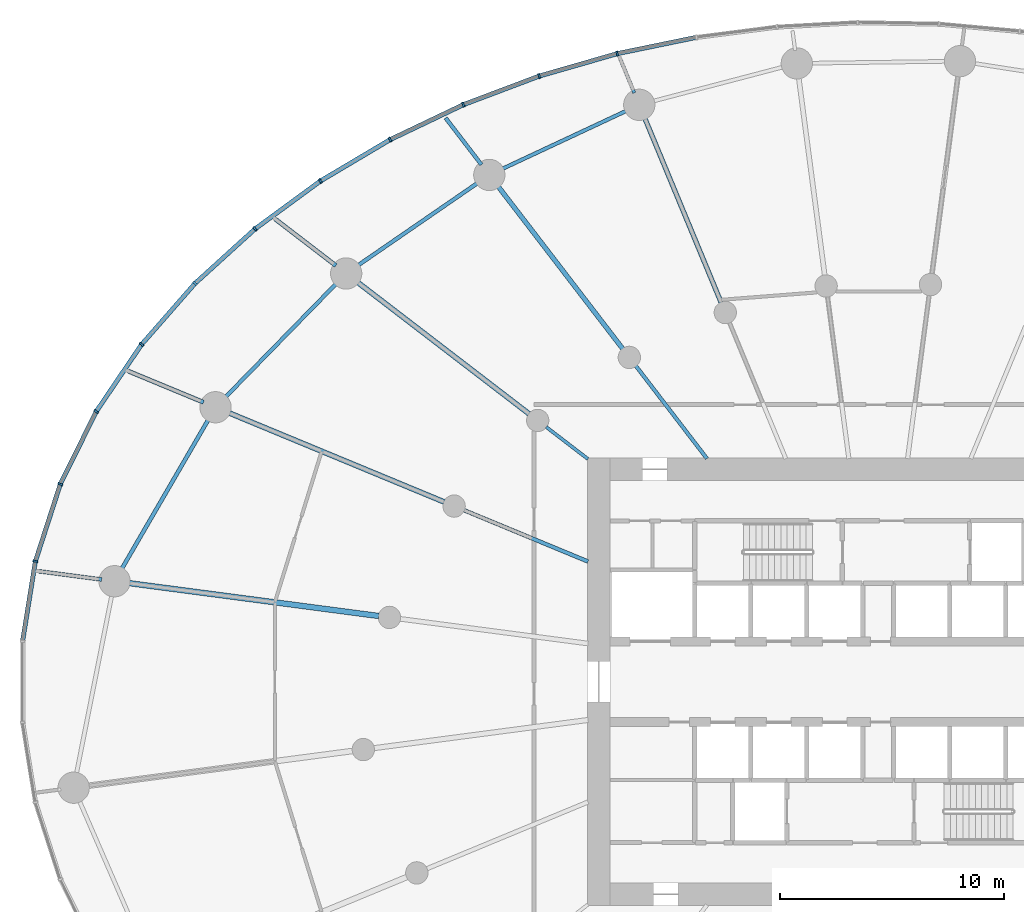
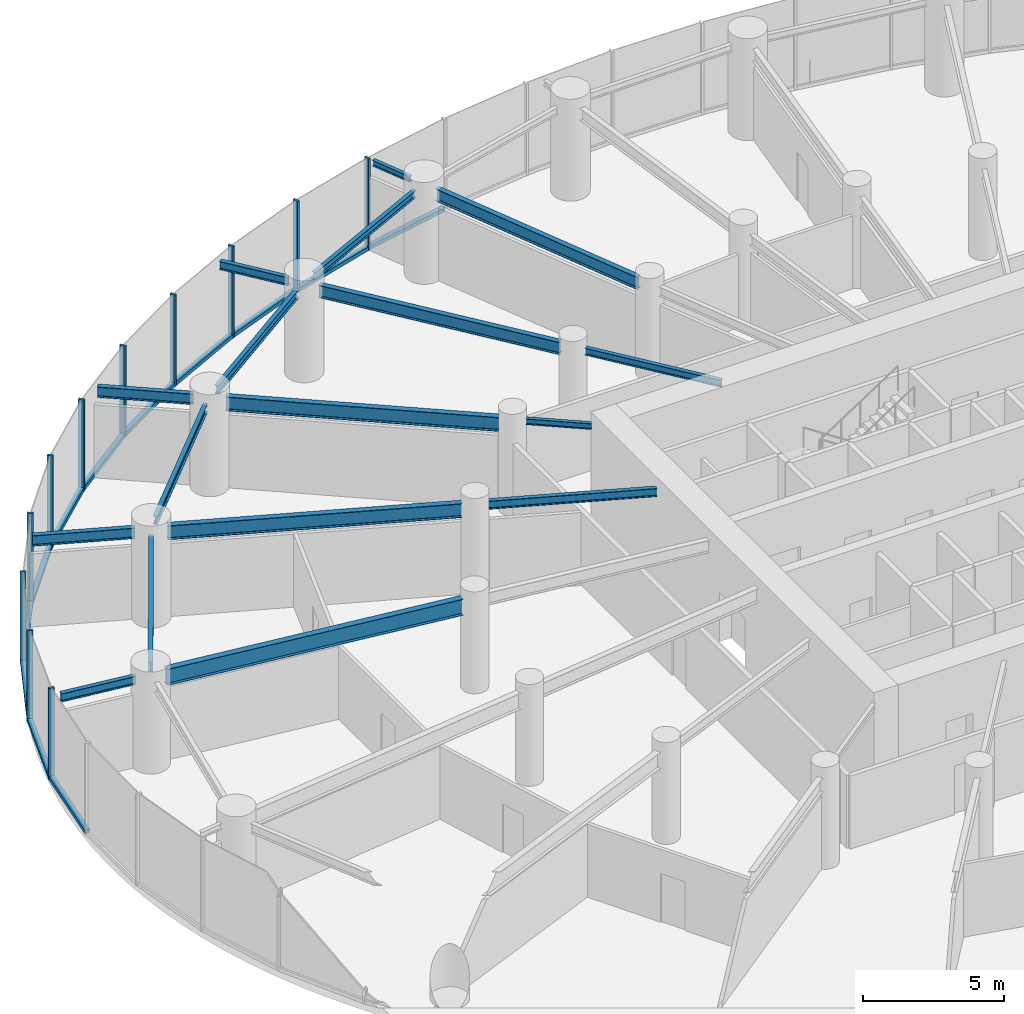
# One storey, part 5 of 21: 23 members, 17 beams, 3 elements without a shape of their own.
"""IFC4 building model written with IfcOpenShell, lengths in metres."""

from ifc_helpers import new_model, si_unit, direction, frame, origin, origin_2d, place, context, subcontext, project, spatial, rectangle, i_section, extrude, source, transform, mapped, material, layer, layer_set, material_profile, profile_set, type_object, element, aggregate, save


model = new_model("IFC4")

# Units and contexts
model_context = context("Model", 3, precision=1e-05, world=origin(), true_north=direction((0.0, 1.0)))
body_context = subcontext(model_context, "Body", "Model", "MODEL_VIEW")
ifc_project = project(units=[si_unit("LENGTHUNIT", "METRE"), si_unit("AREAUNIT", "SQUARE_METRE"), si_unit("VOLUMEUNIT", "CUBIC_METRE"), si_unit("PLANEANGLEUNIT", "RADIAN"), si_unit("MASSUNIT", "GRAM", prefix="KILO")], contexts=[model_context])

# Site, building, storey
site_placement = place(None, origin())
site = spatial("IfcSite", under=ifc_project, at=site_placement, CompositionType="ELEMENT")
building_placement = place(site_placement, origin())
building = spatial("IfcBuilding", under=site, at=building_placement, Name="Spindrift Exchange Tower", CompositionType="ELEMENT")
storey_placement = place(building_placement, frame((0.0, 0.0, 18.199951171875)))
storey = spatial("IfcBuildingStorey", under=building, at=storey_placement, Name="L04", CompositionType="ELEMENT", Elevation=18.199951171875)

# Beams
ifc_material_1 = material(Name="Steel Grade 300", Category="steel")
ifc_material_profile_1 = material_profile(ifc_material_1, i_section(OverallWidth=0.208984375, OverallDepth=0.532958984375, WebThickness=0.01025390625, FlangeThickness=0.015625, FilletRadius=0.013916015625, at=origin_2d()), Name="530UB92.4")
ifc_profile_set_1 = profile_set([ifc_material_profile_1], Name="Steel Grade 300")
beam_type_1 = type_object("IfcBeamType", Name="Floor Beam 530UB92.4 Steel Grade 300", PredefinedType="BEAM", material=ifc_profile_set_1)
shared_shape_1 = source(origin(), body_context, "Body", "SweptSolid", [
    extrude(i_section(OverallWidth=0.208984375, OverallDepth=0.532958984375, WebThickness=0.01025390625, FlangeThickness=0.015625, FilletRadius=0.013916015625, at=origin_2d()), origin(), (0.0, 0.0, 1.0), 8.99658203125),
])
beam_1_placement = place(storey_placement, frame((44.974609375, 64.9609375, 3.68359375), z_axis=(-0.382685731718, 0.923878580085, 0.0), x_axis=(-0.923878580085, -0.382685731718, 0.0)))
element("IfcBeam", 1, at=beam_1_placement, inside=storey, type_object=beam_type_1, Name="L04 radial beam R08B", PredefinedType="BEAM", context=body_context, shape_type="MappedRepresentation", body=[
    mapped(shared_shape_1, transform((0.0, 0.0, 0.0), scale=1.0)),
])
ifc_material_profile_2 = material_profile(ifc_material_1, i_section(OverallWidth=0.14599609375, OverallDepth=0.251953125, WebThickness=0.006103515625, FlangeThickness=0.008544921875, FilletRadius=0.011962890625, at=origin_2d()), Name="250UB31.4")
ifc_profile_set_2 = profile_set([ifc_material_profile_2], Name="Steel Grade 300")
beam_type_2 = type_object("IfcBeamType", Name="Cantilever Beam 250UB31.4 Steel Grade 300", PredefinedType="BEAM", material=ifc_profile_set_2)
shared_shape_2 = source(origin(), body_context, "Body", "SweptSolid", [
    extrude(i_section(OverallWidth=0.14599609375, OverallDepth=0.251953125, WebThickness=0.006103515625, FlangeThickness=0.008544921875, FilletRadius=0.011962890625, at=origin_2d()), origin(), (0.0, 0.0, 1.0), 1.677978515625),
])
beam_2_placement = place(storey_placement, frame((41.087890625, 74.344482421875, 3.823974609375), z_axis=(-0.382775805905, 0.923841264728, 0.0), x_axis=(-0.923841264728, -0.382775805905, 0.0)))
element("IfcBeam", 2, at=beam_2_placement, inside=storey, type_object=beam_type_2, Name="L04 cantilever beam R08T", PredefinedType="BEAM", context=body_context, shape_type="MappedRepresentation", body=[
    mapped(shared_shape_2, transform((0.0, 0.0, 0.0), scale=1.0)),
])
ifc_material_profile_3 = material_profile(ifc_material_1, i_section(OverallWidth=0.1650390625, OverallDepth=0.303955078125, WebThickness=0.006103515625, FlangeThickness=0.01025390625, FilletRadius=0.011474609375, at=origin_2d()), Name="310UB40.4")
ifc_profile_set_3 = profile_set([ifc_material_profile_3], Name="Steel Grade 300")
beam_type_3 = type_object("IfcBeamType", Name="Floor Beam 310UB40.4 Steel Grade 300", PredefinedType="BEAM", material=ifc_profile_set_3)
shared_shape_3 = source(origin(), body_context, "Body", "SweptSolid", [
    extrude(i_section(OverallWidth=0.1650390625, OverallDepth=0.303955078125, WebThickness=0.006103515625, FlangeThickness=0.01025390625, FilletRadius=0.011474609375, at=origin_2d()), origin(), (0.0, 0.0, 1.0), 5.224609375),
])
beam_3_placement = place(storey_placement, frame((44.3388671875, 57.984130859375, 3.798095703125), z_axis=(-0.608741499316, 0.793368632485, 0.0), x_axis=(-0.793368632485, -0.608741499316, 0.0)))
element("IfcBeam", 3, at=beam_3_placement, inside=storey, type_object=beam_type_3, Name="L04 radial beam R09A", PredefinedType="BEAM", context=body_context, shape_type="MappedRepresentation", body=[
    mapped(shared_shape_3, transform((0.0, 0.0, 0.0), scale=1.0)),
])
shared_shape_4 = source(origin(), body_context, "Body", "SweptSolid", [
    extrude(i_section(OverallWidth=0.208984375, OverallDepth=0.532958984375, WebThickness=0.01025390625, FlangeThickness=0.015625, FilletRadius=0.013916015625, at=origin_2d()), origin(), (0.0, 0.0, 1.0), 9.227783203125),
])
beam_4_placement = place(storey_placement, frame((40.573974609375, 62.890625, 3.68359375), z_axis=(-0.608747534474, 0.79336400175, 0.0), x_axis=(-0.79336400175, -0.608747534474, 0.0)))
element("IfcBeam", 4, at=beam_4_placement, inside=storey, type_object=beam_type_1, Name="L04 radial beam R09B", PredefinedType="BEAM", context=body_context, shape_type="MappedRepresentation", body=[
    mapped(shared_shape_4, transform((0.0, 0.0, 0.0), scale=1.0)),
])
ifc_material_profile_4 = material_profile(ifc_material_1, i_section(OverallWidth=0.14599609375, OverallDepth=0.251953125, WebThickness=0.006103515625, FlangeThickness=0.008544921875, FilletRadius=0.011962890625, at=origin_2d()), Name="250UB31.4")
ifc_profile_set_4 = profile_set([ifc_material_profile_4], Name="Steel Grade 300")
beam_type_4 = type_object("IfcBeamType", Name="Floor Beam 250UB31.4 Steel Grade 300", PredefinedType="BEAM", material=ifc_profile_set_4)
shared_shape_5 = source(origin(), body_context, "Body", "SweptSolid", [
    extrude(i_section(OverallWidth=0.14599609375, OverallDepth=0.251953125, WebThickness=0.006103515625, FlangeThickness=0.008544921875, FilletRadius=0.011962890625, at=origin_2d()), origin(), (0.0, 0.0, 1.0), 2.353759765625),
])
beam_5_placement = place(storey_placement, frame((39.015869140625, 57.963134765625, 3.823974609375), z_axis=(-0.793367573265, 0.608742879787, 0.0), x_axis=(-0.608742879787, -0.793367573265, 0.0)))
element("IfcBeam", 5, at=beam_5_placement, inside=storey, type_object=beam_type_4, Name="L04 radial beam R10A", PredefinedType="BEAM", context=body_context, shape_type="MappedRepresentation", body=[
    mapped(shared_shape_5, transform((0.0, 0.0, 0.0), scale=1.0)),
])
ifc_material_profile_5 = material_profile(ifc_material_1, i_section(OverallWidth=0.22802734375, OverallDepth=0.60693359375, WebThickness=0.01123046875, FlangeThickness=0.017333984375, FilletRadius=0.013916015625, at=origin_2d()), Name="610UB113")
ifc_profile_set_5 = profile_set([ifc_material_profile_5], Name="Steel Grade 300")
beam_type_5 = type_object("IfcBeamType", Name="Floor Beam 610UB113 Steel Grade 300", PredefinedType="BEAM", material=ifc_profile_set_5)
shared_shape_6 = source(origin(), body_context, "Body", "SweptSolid", [
    extrude(i_section(OverallWidth=0.22802734375, OverallDepth=0.60693359375, WebThickness=0.01123046875, FlangeThickness=0.017333984375, FilletRadius=0.013916015625, at=origin_2d()), origin(), (0.0, 0.0, 1.0), 9.73974609375),
])
beam_6_placement = place(storey_placement, frame((36.38671875, 59.98046875, 3.646484375), z_axis=(-0.793352119621, 0.608763019814, 0.0), x_axis=(-0.608763019814, -0.793352119621, 0.0)))
element("IfcBeam", 6, at=beam_6_placement, inside=storey, type_object=beam_type_5, Name="L04 radial beam R10B", PredefinedType="BEAM", context=body_context, shape_type="MappedRepresentation", body=[
    mapped(shared_shape_6, transform((0.0, 0.0, 0.0), scale=1.0)),
])
ifc_material_profile_6 = material_profile(ifc_material_1, i_section(OverallWidth=0.172119140625, OverallDepth=0.35888671875, WebThickness=0.008056640625, FlangeThickness=0.012939453125, FilletRadius=0.013916015625, at=origin_2d()), Name="360UB56.7")
ifc_profile_set_6 = profile_set([ifc_material_profile_6], Name="Steel Grade 300")
beam_type_6 = type_object("IfcBeamType", Name="Floor Beam 360UB56.7 Steel Grade 300", PredefinedType="BEAM", material=ifc_profile_set_6)
shared_shape_7 = source(origin(), body_context, "Body", "SweptSolid", [
    extrude(i_section(OverallWidth=0.172119140625, OverallDepth=0.35888671875, WebThickness=0.008056640625, FlangeThickness=0.012939453125, FilletRadius=0.013916015625, at=origin_2d()), origin(), (0.0, 0.0, 1.0), 6.004638671875),
])
beam_7_placement = place(storey_placement, frame((39.0185546875, 53.377197265625, 3.7705078125), z_axis=(-0.923882044911, 0.38267736684, 0.0), x_axis=(-0.38267736684, -0.923882044911, 0.0)))
element("IfcBeam", 7, at=beam_7_placement, inside=storey, type_object=beam_type_6, Name="L04 radial beam R11A", PredefinedType="BEAM", context=body_context, shape_type="MappedRepresentation", body=[
    mapped(shared_shape_7, transform((0.0, 0.0, 0.0), scale=1.0)),
])
shared_shape_8 = source(origin(), body_context, "Body", "SweptSolid", [
    extrude(i_section(OverallWidth=0.22802734375, OverallDepth=0.60693359375, WebThickness=0.01123046875, FlangeThickness=0.017333984375, FilletRadius=0.013916015625, at=origin_2d()), origin(), (0.0, 0.0, 1.0), 10.4912109375),
])
beam_8_placement = place(storey_placement, frame((32.583984375, 56.04248046875, 3.646484375), z_axis=(-0.923885231151, 0.382669674342, 0.0), x_axis=(-0.382669674342, -0.923885231151, 0.0)))
element("IfcBeam", 8, at=beam_8_placement, inside=storey, type_object=beam_type_5, Name="L04 radial beam R11B", PredefinedType="BEAM", context=body_context, shape_type="MappedRepresentation", body=[
    mapped(shared_shape_8, transform((0.0, 0.0, 0.0), scale=1.0)),
])
ifc_material_profile_7 = material_profile(ifc_material_1, i_section(OverallWidth=0.25, OverallDepth=0.699951171875, WebThickness=0.008056640625, FlangeThickness=0.011962890625, at=origin_2d()), Name="700WB115")
ifc_profile_set_7 = profile_set([ifc_material_profile_7], Name="Steel Grade 300")
beam_type_7 = type_object("IfcBeamType", Name="Floor Beam 700WB115 Steel Grade 300", PredefinedType="BEAM", material=ifc_profile_set_7)
shared_shape_9 = source(origin(), body_context, "Body", "SweptSolid", [
    extrude(i_section(OverallWidth=0.25, OverallDepth=0.699951171875, WebThickness=0.008056640625, FlangeThickness=0.011962890625, at=origin_2d()), origin(), (0.0, 0.0, 1.0), 11.34423828125),
])
beam_9_placement = place(storey_placement, frame((29.660888671875, 50.94091796875, 3.60009765625), z_axis=(-0.991444770187, 0.130526884848, 0.0), x_axis=(-0.130526884848, -0.991444770187, 0.0)))
element("IfcBeam", 9, at=beam_9_placement, inside=storey, type_object=beam_type_7, Name="L04 radial beam R12B", PredefinedType="BEAM", context=body_context, shape_type="MappedRepresentation", body=[
    mapped(shared_shape_9, transform((0.0, 0.0, 0.0), scale=1.0)),
])
ifc_material_profile_8 = material_profile(ifc_material_1, i_section(OverallWidth=0.1650390625, OverallDepth=0.303955078125, WebThickness=0.006103515625, FlangeThickness=0.01025390625, FilletRadius=0.011474609375, at=origin_2d()), Name="310UB40.4")
ifc_profile_set_8 = profile_set([ifc_material_profile_8], Name="Steel Grade 300")
beam_type_8 = type_object("IfcBeamType", Name="Edge Beam 310UB40.4 Steel Grade 300", PredefinedType="SPANDREL", material=ifc_profile_set_8)
shared_shape_10 = source(origin(), body_context, "Body", "SweptSolid", [
    extrude(i_section(OverallWidth=0.1650390625, OverallDepth=0.303955078125, WebThickness=0.006103515625, FlangeThickness=0.01025390625, FilletRadius=0.011474609375, at=origin_2d()), origin(), (0.0, 0.0, 1.0), 6.243408203125),
])
beam_10_placement = place(storey_placement, frame((40.7841796875, 73.56298828125, 3.798095703125), z_axis=(-0.905791146607, -0.423724437257, 0.0), x_axis=(0.423724437257, -0.905791146607, 0.0)))
element("IfcBeam", 10, at=beam_10_placement, inside=storey, type_object=beam_type_8, Name="L04 edge beam E08", PredefinedType="SPANDREL", context=body_context, shape_type="MappedRepresentation", body=[
    mapped(shared_shape_10, transform((0.0, 0.0, 0.0), scale=1.0)),
])
ifc_material_profile_9 = material_profile(ifc_material_1, i_section(OverallWidth=0.172119140625, OverallDepth=0.35888671875, WebThickness=0.008056640625, FlangeThickness=0.012939453125, FilletRadius=0.013916015625, at=origin_2d()), Name="360UB56.7")
ifc_profile_set_9 = profile_set([ifc_material_profile_9], Name="Steel Grade 300")
beam_type_9 = type_object("IfcBeamType", Name="Edge Beam 360UB56.7 Steel Grade 300", PredefinedType="SPANDREL", material=ifc_profile_set_9)
shared_shape_11 = source(origin(), body_context, "Body", "SweptSolid", [
    extrude(i_section(OverallWidth=0.172119140625, OverallDepth=0.35888671875, WebThickness=0.008056640625, FlangeThickness=0.012939453125, FilletRadius=0.013916015625, at=origin_2d()), origin(), (0.0, 0.0, 1.0), 6.614990234375),
])
beam_11_placement = place(storey_placement, frame((34.125732421875, 70.3427734375, 3.7705078125), z_axis=(-0.823690708835, -0.567039342708, 0.0), x_axis=(0.567039342708, -0.823690708835, 0.0)))
element("IfcBeam", 11, at=beam_11_placement, inside=storey, type_object=beam_type_9, Name="L04 edge beam E09", PredefinedType="SPANDREL", context=body_context, shape_type="MappedRepresentation", body=[
    mapped(shared_shape_11, transform((0.0, 0.0, 0.0), scale=1.0)),
])
shared_shape_12 = source(origin(), body_context, "Body", "SweptSolid", [
    extrude(i_section(OverallWidth=0.172119140625, OverallDepth=0.35888671875, WebThickness=0.008056640625, FlangeThickness=0.012939453125, FilletRadius=0.013916015625, at=origin_2d()), origin(), (0.0, 0.0, 1.0), 7.2041015625),
])
beam_12_placement = place(storey_placement, frame((27.794189453125, 65.847900390625, 3.7705078125), z_axis=(-0.698703626006, -0.715411240481, 0.0), x_axis=(0.715411240481, -0.698703626006, 0.0)))
element("IfcBeam", 12, at=beam_12_placement, inside=storey, type_object=beam_type_9, Name="L04 edge beam E10", PredefinedType="SPANDREL", context=body_context, shape_type="MappedRepresentation", body=[
    mapped(shared_shape_12, transform((0.0, 0.0, 0.0), scale=1.0)),
])
ifc_material_profile_10 = material_profile(ifc_material_1, i_section(OverallWidth=0.177978515625, OverallDepth=0.406005859375, WebThickness=0.0078125, FlangeThickness=0.0126953125, FilletRadius=0.013916015625, at=origin_2d()), Name="410UB59.7")
ifc_profile_set_10 = profile_set([ifc_material_profile_10], Name="Steel Grade 300")
beam_type_10 = type_object("IfcBeamType", Name="Edge Beam 410UB59.7 Steel Grade 300", PredefinedType="SPANDREL", material=ifc_profile_set_10)
shared_shape_13 = source(origin(), body_context, "Body", "SweptSolid", [
    extrude(i_section(OverallWidth=0.177978515625, OverallDepth=0.406005859375, WebThickness=0.0078125, FlangeThickness=0.0126953125, FilletRadius=0.013916015625, at=origin_2d()), origin(), (0.0, 0.0, 1.0), 7.837646484375),
])
beam_13_placement = place(storey_placement, frame((22.064208984375, 59.777587890625, 3.7470703125), z_axis=(-0.50198145655, -0.864878382942, 0.0), x_axis=(0.864878382942, -0.50198145655, 0.0)))
element("IfcBeam", 13, at=beam_13_placement, inside=storey, type_object=beam_type_10, Name="L04 edge beam E11", PredefinedType="SPANDREL", context=body_context, shape_type="MappedRepresentation", body=[
    mapped(shared_shape_13, transform((0.0, 0.0, 0.0), scale=1.0)),
])
ifc_material_profile_11 = material_profile(ifc_material_1, i_section(OverallWidth=0.172119140625, OverallDepth=0.35888671875, WebThickness=0.008056640625, FlangeThickness=0.012939453125, FilletRadius=0.013916015625, at=origin_2d()), Name="360UB56.7")
ifc_profile_set_11 = profile_set([ifc_material_profile_11], Name="Steel Grade 300")
beam_type_11 = type_object("IfcBeamType", Name="Cantilever Beam 360UB56.7 Steel Grade 300", PredefinedType="BEAM", material=ifc_profile_set_11)
shared_shape_14 = source(origin(), body_context, "Body", "SweptSolid", [
    extrude(i_section(OverallWidth=0.172119140625, OverallDepth=0.35888671875, WebThickness=0.008056640625, FlangeThickness=0.012939453125, FilletRadius=0.013916015625, at=origin_2d()), origin(), (0.0, 0.0, 1.0), 2.634521484375),
])
beam_14_placement = place(storey_placement, frame((34.250244140625, 71.1318359375, 3.7705078125), z_axis=(-0.608756392713, 0.793357204752, 0.0), x_axis=(-0.793357204752, -0.608756392713, 0.0)))
element("IfcBeam", 14, at=beam_14_placement, inside=storey, type_object=beam_type_11, Name="L04 cantilever beam R09T", PredefinedType="BEAM", context=body_context, shape_type="MappedRepresentation", body=[
    mapped(shared_shape_14, transform((0.0, 0.0, 0.0), scale=1.0)),
])
ifc_material_profile_12 = material_profile(ifc_material_1, i_section(OverallWidth=0.18994140625, OverallDepth=0.45703125, WebThickness=0.009033203125, FlangeThickness=0.014404296875, FilletRadius=0.013916015625, at=origin_2d()), Name="460UB74.6")
ifc_profile_set_12 = profile_set([ifc_material_profile_12], Name="Steel Grade 300")
beam_type_12 = type_object("IfcBeamType", Name="Cantilever Beam 460UB74.6 Steel Grade 300", PredefinedType="BEAM", material=ifc_profile_set_12)
shared_shape_15 = source(origin(), body_context, "Body", "SweptSolid", [
    extrude(i_section(OverallWidth=0.18994140625, OverallDepth=0.45703125, WebThickness=0.009033203125, FlangeThickness=0.014404296875, FilletRadius=0.013916015625, at=origin_2d()), origin(), (0.0, 0.0, 1.0), 3.4130859375),
])
beam_15_placement = place(storey_placement, frame((27.7392578125, 66.615966796875, 3.721435546875), z_axis=(-0.793367975239, 0.608742355899, 0.0), x_axis=(-0.608742355899, -0.793367975239, 0.0)))
element("IfcBeam", 15, at=beam_15_placement, inside=storey, type_object=beam_type_12, Name="L04 cantilever beam R10T", PredefinedType="BEAM", context=body_context, shape_type="MappedRepresentation", body=[
    mapped(shared_shape_15, transform((0.0, 0.0, 0.0), scale=1.0)),
])
shared_shape_16 = source(origin(), body_context, "Body", "SweptSolid", [
    extrude(i_section(OverallWidth=0.18994140625, OverallDepth=0.45703125, WebThickness=0.009033203125, FlangeThickness=0.014404296875, FilletRadius=0.013916015625, at=origin_2d()), origin(), (0.0, 0.0, 1.0), 3.650390625),
])
beam_16_placement = place(storey_placement, frame((21.819580078125, 60.501220703125, 3.721435546875), z_axis=(-0.923878259205, 0.382686506383, 0.0), x_axis=(-0.382686506383, -0.923878259205, 0.0)))
element("IfcBeam", 16, at=beam_16_placement, inside=storey, type_object=beam_type_12, Name="L04 cantilever beam R11T", PredefinedType="BEAM", context=body_context, shape_type="MappedRepresentation", body=[
    mapped(shared_shape_16, transform((0.0, 0.0, 0.0), scale=1.0)),
])
shared_shape_17 = source(origin(), body_context, "Body", "SweptSolid", [
    extrude(i_section(OverallWidth=0.172119140625, OverallDepth=0.35888671875, WebThickness=0.008056640625, FlangeThickness=0.012939453125, FilletRadius=0.013916015625, at=origin_2d()), origin(), (0.0, 0.0, 1.0), 2.85888671875),
])
beam_17_placement = place(storey_placement, frame((17.263916015625, 52.572998046875, 3.7705078125), z_axis=(-0.99143917468, 0.13056937968, 0.0), x_axis=(-0.13056937968, -0.99143917468, 0.0)))
element("IfcBeam", 17, at=beam_17_placement, inside=storey, type_object=beam_type_11, Name="L04 cantilever beam R12T", PredefinedType="BEAM", context=body_context, shape_type="MappedRepresentation", body=[
    mapped(shared_shape_17, transform((0.0, 0.0, 0.0), scale=1.0)),
])

# Curtain wall, members
ifc_material_2 = material(Name="Fritted laminated glass with bronze frame", Category="glass")
ifc_layer = layer(ifc_material_2, 0.219970703125)
ifc_layer_set = layer_set([ifc_layer], Name="PODIUM BRONZE GLAZED WALL")
curtain_wall_type = type_object("IfcCurtainWallType", Name="PODIUM BRONZE GLAZED WALL", PredefinedType="NOTDEFINED", material=ifc_layer_set)
curtain_wall_1_placement = place(storey_placement, origin())
curtain_wall_1 = element("IfcCurtainWall", 18, at=curtain_wall_1_placement, inside=storey, type_object=curtain_wall_type, Name="L04 Podium Bronze Glazed Wall run 4", PredefinedType="NOTDEFINED")
ifc_material_3 = material(Name="Bronze anodised aluminium", Category="aluminium")
ifc_material_profile_13 = material_profile(ifc_material_3, rectangle(XDim=0.090087890625, YDim=0.219970703125, at=origin_2d()), Name="PODIUM BRONZE GLAZED WALL MULLION 90X220")
ifc_profile_set_13 = profile_set([ifc_material_profile_13], Name="Bronze anodised aluminium")
member_type_1 = type_object("IfcMemberType", Name="PODIUM BRONZE GLAZED WALL MULLION 90X220", PredefinedType="MULLION", material=ifc_profile_set_13)
shared_shape_18 = source(origin(), body_context, "Body", "SweptSolid", [
    extrude(rectangle(XDim=0.090087890625, YDim=0.219970703125, at=origin_2d()), origin(), (0.0, 0.0, 1.0), 3.949951171875),
])
member_1_placement = place(storey_placement, frame((40.320556640625, 76.0986328125, 0.0), z_axis=(0.0, 0.0, 1.0), x_axis=(-0.970953934717, -0.23926649715, 0.0)))
member_1 = element("IfcMember", 19, at=member_1_placement, type_object=member_type_1, Name="L04 mullion CW-P.19", PredefinedType="MULLION", context=body_context, shape_type="MappedRepresentation", body=[
    mapped(shared_shape_18, transform((0.0, 0.0, 0.0), scale=1.0)),
])
member_2_placement = place(storey_placement, frame((36.834716796875, 75.095458984375, 0.0), z_axis=(0.0, 0.0, 1.0), x_axis=(-0.949100307428, -0.314973977401, 0.0)))
member_2 = element("IfcMember", 20, at=member_2_placement, type_object=member_type_1, Name="L04 mullion CW-P.20", PredefinedType="MULLION", context=body_context, shape_type="MappedRepresentation", body=[
    mapped(shared_shape_18, transform((0.0, 0.0, 0.0), scale=1.0)),
])
member_3_placement = place(storey_placement, frame((33.44091796875, 73.8154296875, 0.0), z_axis=(0.0, 0.0, 1.0), x_axis=(-0.919884060826, -0.392190406103, 0.0)))
member_3 = element("IfcMember", 21, at=member_3_placement, type_object=member_type_1, Name="L04 mullion CW-P.21", PredefinedType="MULLION", context=body_context, shape_type="MappedRepresentation", body=[
    mapped(shared_shape_18, transform((0.0, 0.0, 0.0), scale=1.0)),
])
member_4_placement = place(storey_placement, frame((30.16748046875, 72.2529296875, 0.0), z_axis=(0.0, 0.0, 1.0), x_axis=(-0.882121824938, -0.4710213222, 0.0)))
member_4 = element("IfcMember", 22, at=member_4_placement, type_object=member_type_1, Name="L04 mullion CW-P.22", PredefinedType="MULLION", context=body_context, shape_type="MappedRepresentation", body=[
    mapped(shared_shape_18, transform((0.0, 0.0, 0.0), scale=1.0)),
])
member_5_placement = place(storey_placement, frame((27.048583984375, 70.402099609375, 0.0), z_axis=(0.0, 0.0, 1.0), x_axis=(-0.834295578557, -0.551317410935, 0.0)))
member_5 = element("IfcMember", 23, at=member_5_placement, type_object=member_type_1, Name="L04 mullion CW-P.23", PredefinedType="MULLION", context=body_context, shape_type="MappedRepresentation", body=[
    mapped(shared_shape_18, transform((0.0, 0.0, 0.0), scale=1.0)),
])
member_6_placement = place(storey_placement, frame((24.123046875, 68.2587890625, 0.0), z_axis=(0.0, 0.0, 1.0), x_axis=(-0.774543413522, -0.632520751099, 0.0)))
member_6 = element("IfcMember", 24, at=member_6_placement, type_object=member_type_1, Name="L04 mullion CW-P.24", PredefinedType="MULLION", context=body_context, shape_type="MappedRepresentation", body=[
    mapped(shared_shape_18, transform((0.0, 0.0, 0.0), scale=1.0)),
])

curtain_wall_2_placement = place(storey_placement, origin())
curtain_wall_2 = element("IfcCurtainWall", 25, at=curtain_wall_2_placement, inside=storey, type_object=curtain_wall_type, Name="L04 Podium Bronze Glazed Wall run 5", PredefinedType="NOTDEFINED")
member_7_placement = place(storey_placement, frame((21.4384765625, 65.82080078125, 0.0), z_axis=(0.0, 0.0, 1.0), x_axis=(-0.700723074347, -0.713433369753, 0.0)))
member_7 = element("IfcMember", 26, at=member_7_placement, type_object=member_type_1, Name="L04 mullion CW-P.25", PredefinedType="MULLION", context=body_context, shape_type="MappedRepresentation", body=[
    mapped(shared_shape_18, transform((0.0, 0.0, 0.0), scale=1.0)),
])
member_8_placement = place(storey_placement, frame((19.04931640625, 63.093017578125, 0.0), z_axis=(0.0, 0.0, 1.0), x_axis=(-0.610695844743, -0.791865256981, 0.0)))
member_8 = element("IfcMember", 27, at=member_8_placement, type_object=member_type_1, Name="L04 mullion CW-P.26", PredefinedType="MULLION", context=body_context, shape_type="MappedRepresentation", body=[
    mapped(shared_shape_18, transform((0.0, 0.0, 0.0), scale=1.0)),
])
member_9_placement = place(storey_placement, frame((17.018310546875, 60.089599609375, 0.0), z_axis=(0.0, 0.0, 1.0), x_axis=(-0.502772312764, -0.86441888082, 0.0)))
member_9 = element("IfcMember", 28, at=member_9_placement, type_object=member_type_1, Name="L04 mullion CW-P.27", PredefinedType="MULLION", context=body_context, shape_type="MappedRepresentation", body=[
    mapped(shared_shape_18, transform((0.0, 0.0, 0.0), scale=1.0)),
])
member_10_placement = place(storey_placement, frame((15.412109375, 56.839599609375, 0.0), z_axis=(0.0, 0.0, 1.0), x_axis=(-0.376526512453, -0.926405842717, 0.0)))
member_10 = element("IfcMember", 29, at=member_10_placement, type_object=member_type_1, Name="L04 mullion CW-P.28", PredefinedType="MULLION", context=body_context, shape_type="MappedRepresentation", body=[
    mapped(shared_shape_18, transform((0.0, 0.0, 0.0), scale=1.0)),
])
member_11_placement = place(storey_placement, frame((14.2958984375, 53.39111328125, 0.0), z_axis=(0.0, 0.0, 1.0), x_axis=(-0.233790990177, -0.972286877888, 0.0)))
member_11 = element("IfcMember", 30, at=member_11_placement, type_object=member_type_1, Name="L04 mullion CW-P.29", PredefinedType="MULLION", context=body_context, shape_type="MappedRepresentation", body=[
    mapped(shared_shape_18, transform((0.0, 0.0, 0.0), scale=1.0)),
])
ifc_material_profile_14 = material_profile(ifc_material_3, rectangle(XDim=0.199951171875, YDim=0.159912109375, at=origin_2d()), Name="PODIUM BRONZE GLAZED WALL TRANSOM 200X160")
ifc_profile_set_14 = profile_set([ifc_material_profile_14], Name="Bronze anodised aluminium")
member_type_2 = type_object("IfcMemberType", Name="PODIUM BRONZE GLAZED WALL TRANSOM 200X160", PredefinedType="USERDEFINED", material=ifc_profile_set_14)
shared_shape_19 = source(origin(), body_context, "Body", "SweptSolid", [
    extrude(rectangle(XDim=0.199951171875, YDim=0.159912109375, at=origin_2d()), origin(), (0.0, 0.0, 1.0), 3.534423828125),
])
member_12_placement = place(storey_placement, frame((14.28857421875, 53.3466796875, 0.080078125), z_axis=(-0.158179077332, -0.987410441252, 0.0), x_axis=(0.987410441252, -0.158179077332, 0.0)))
member_12 = element("IfcMember", 31, at=member_12_placement, type_object=member_type_2, Name="L04 transom CW-P.29", ObjectType="TRANSOM", PredefinedType="USERDEFINED", context=body_context, shape_type="MappedRepresentation", body=[
    mapped(shared_shape_19, transform((0.0, 0.0, 0.0), scale=1.0)),
])
shared_shape_20 = source(origin(), body_context, "Body", "SweptSolid", [
    extrude(rectangle(XDim=0.199951171875, YDim=0.159912109375, at=origin_2d()), origin(), (0.0, 0.0, 1.0), 3.535888671875),
])
member_13_placement = place(storey_placement, frame((21.40869140625, 65.786865234375, 0.080078125), z_axis=(-0.658851608653, -0.752272927717, 0.0), x_axis=(0.752272927717, -0.658851608653, 0.0)))
member_13 = element("IfcMember", 32, at=member_13_placement, type_object=member_type_2, Name="L04 transom CW-P.25", ObjectType="TRANSOM", PredefinedType="USERDEFINED", context=body_context, shape_type="MappedRepresentation", body=[
    mapped(shared_shape_20, transform((0.0, 0.0, 0.0), scale=1.0)),
])

# Member
shared_shape_21 = source(origin(), body_context, "Body", "SweptSolid", [
    extrude(rectangle(XDim=0.199951171875, YDim=0.159912109375, at=origin_2d()), origin(), (0.0, 0.0, 1.0), 3.53662109375),
])
member_14_placement = place(storey_placement, frame((27.01220703125, 70.37548828125, 0.080078125), z_axis=(-0.806668284545, -0.591004465896, 0.0), x_axis=(0.591004465896, -0.806668284545, 0.0)))
member_14 = element("IfcMember", 33, at=member_14_placement, type_object=member_type_2, Name="L04 transom CW-P.23", ObjectType="TRANSOM", PredefinedType="USERDEFINED", context=body_context, shape_type="MappedRepresentation", body=[
    mapped(shared_shape_21, transform((0.0, 0.0, 0.0), scale=1.0)),
])

member_15_placement = place(storey_placement, frame((24.08984375, 68.228515625, 0.080078125), z_axis=(-0.740321047541, -0.672253483864, 0.0), x_axis=(0.672253483864, -0.740321047541, 0.0)))
member_15 = element("IfcMember", 34, at=member_15_placement, type_object=member_type_2, Name="L04 transom CW-P.24", ObjectType="TRANSOM", PredefinedType="USERDEFINED", context=body_context, shape_type="MappedRepresentation", body=[
    mapped(shared_shape_21, transform((0.0, 0.0, 0.0), scale=1.0)),
])

shared_shape_22 = source(origin(), body_context, "Body", "SweptSolid", [
    extrude(rectangle(XDim=0.199951171875, YDim=0.159912109375, at=origin_2d()), origin(), (0.0, 0.0, 1.0), 3.536865234375),
])
member_16_placement = place(storey_placement, frame((30.12890625, 72.22998046875, 0.080078125), z_axis=(-0.859992016705, -0.510307486917, 0.0), x_axis=(0.510307486917, -0.859992016705, 0.0)))
member_16 = element("IfcMember", 35, at=member_16_placement, type_object=member_type_2, Name="L04 transom CW-P.22", ObjectType="TRANSOM", PredefinedType="USERDEFINED", context=body_context, shape_type="MappedRepresentation", body=[
    mapped(shared_shape_22, transform((0.0, 0.0, 0.0), scale=1.0)),
])

shared_shape_23 = source(origin(), body_context, "Body", "SweptSolid", [
    extrude(rectangle(XDim=0.199951171875, YDim=0.159912109375, at=origin_2d()), origin(), (0.0, 0.0, 1.0), 3.537109375),
])
member_17_placement = place(storey_placement, frame((36.79248046875, 75.07958984375, 0.080078125), z_axis=(-0.93565806005, -0.35290791244, 0.0), x_axis=(0.35290791244, -0.93565806005, 0.0)))
member_17 = element("IfcMember", 36, at=member_17_placement, type_object=member_type_2, Name="L04 transom CW-P.20", ObjectType="TRANSOM", PredefinedType="USERDEFINED", context=body_context, shape_type="MappedRepresentation", body=[
    mapped(shared_shape_23, transform((0.0, 0.0, 0.0), scale=1.0)),
])

member_18_placement = place(storey_placement, frame((33.400390625, 73.796142578125, 0.080078125), z_axis=(-0.902463353207, -0.430766637657, 0.0), x_axis=(0.430766637657, -0.902463353207, 0.0)))
member_18 = element("IfcMember", 37, at=member_18_placement, type_object=member_type_2, Name="L04 transom CW-P.21", ObjectType="TRANSOM", PredefinedType="USERDEFINED", context=body_context, shape_type="MappedRepresentation", body=[
    mapped(shared_shape_23, transform((0.0, 0.0, 0.0), scale=1.0)),
])

shared_shape_24 = source(origin(), body_context, "Body", "SweptSolid", [
    extrude(rectangle(XDim=0.199951171875, YDim=0.159912109375, at=origin_2d()), origin(), (0.0, 0.0, 1.0), 3.537353515625),
])
member_19_placement = place(storey_placement, frame((40.27734375, 76.086181640625, 0.080078125), z_axis=(-0.960998711258, -0.276552846597, 0.0), x_axis=(0.276552846597, -0.960998711258, 0.0)))
member_19 = element("IfcMember", 38, at=member_19_placement, type_object=member_type_2, Name="L04 transom CW-P.19", ObjectType="TRANSOM", PredefinedType="USERDEFINED", context=body_context, shape_type="MappedRepresentation", body=[
    mapped(shared_shape_24, transform((0.0, 0.0, 0.0), scale=1.0)),
])

aggregate(curtain_wall_1, [member_1, member_19, member_2, member_17, member_3, member_18, member_4, member_16, member_5, member_14, member_6, member_15])

# Curtain wall, member
curtain_wall_3_placement = place(storey_placement, origin())
curtain_wall_3 = element("IfcCurtainWall", 39, at=curtain_wall_3_placement, inside=storey, type_object=curtain_wall_type, Name="L04 Podium Bronze Glazed Wall run 3", PredefinedType="NOTDEFINED")
shared_shape_25 = source(origin(), body_context, "Body", "SweptSolid", [
    extrude(rectangle(XDim=0.199951171875, YDim=0.159912109375, at=origin_2d()), origin(), (0.0, 0.0, 1.0), 3.53759765625),
])
member_20_placement = place(storey_placement, frame((43.829345703125, 76.821044921875, 0.080078125), z_axis=(-0.979455439567, -0.201660709866, 0.0), x_axis=(0.201660709866, -0.979455439567, 0.0)))
member_20 = element("IfcMember", 40, at=member_20_placement, type_object=member_type_2, Name="L04 transom CW-P.18", ObjectType="TRANSOM", PredefinedType="USERDEFINED", context=body_context, shape_type="MappedRepresentation", body=[
    mapped(shared_shape_25, transform((0.0, 0.0, 0.0), scale=1.0)),
])
aggregate(curtain_wall_3, [member_20])

# Member
shared_shape_26 = source(origin(), body_context, "Body", "SweptSolid", [
    extrude(rectangle(XDim=0.199951171875, YDim=0.159912109375, at=origin_2d()), origin(), (0.0, 0.0, 1.0), 3.535400390625),
])
member_21_placement = place(storey_placement, frame((19.024169921875, 63.0556640625, 0.080078125), z_axis=(-0.560170021339, -0.828377659762, 0.0), x_axis=(0.828377659762, -0.560170021339, 0.0)))
member_21 = element("IfcMember", 41, at=member_21_placement, type_object=member_type_2, Name="L04 transom CW-P.26", ObjectType="TRANSOM", PredefinedType="USERDEFINED", context=body_context, shape_type="MappedRepresentation", body=[
    mapped(shared_shape_26, transform((0.0, 0.0, 0.0), scale=1.0)),
])

member_22_placement = place(storey_placement, frame((16.99853515625, 60.04931640625, 0.080078125), z_axis=(-0.443065417149, -0.896489283888, 0.0), x_axis=(0.896489283888, -0.443065417149, 0.0)))
member_22 = element("IfcMember", 42, at=member_22_placement, type_object=member_type_2, Name="L04 transom CW-P.27", ObjectType="TRANSOM", PredefinedType="USERDEFINED", context=body_context, shape_type="MappedRepresentation", body=[
    mapped(shared_shape_26, transform((0.0, 0.0, 0.0), scale=1.0)),
])

shared_shape_27 = source(origin(), body_context, "Body", "SweptSolid", [
    extrude(rectangle(XDim=0.199951171875, YDim=0.159912109375, at=origin_2d()), origin(), (0.0, 0.0, 1.0), 3.534912109375),
])
member_23_placement = place(storey_placement, frame((15.3984375, 56.796875, 0.080078125), z_axis=(-0.308031746699, -0.951376078649, 0.0), x_axis=(0.951376078649, -0.308031746699, 0.0)))
member_23 = element("IfcMember", 43, at=member_23_placement, type_object=member_type_2, Name="L04 transom CW-P.28", ObjectType="TRANSOM", PredefinedType="USERDEFINED", context=body_context, shape_type="MappedRepresentation", body=[
    mapped(shared_shape_27, transform((0.0, 0.0, 0.0), scale=1.0)),
])

aggregate(curtain_wall_2, [member_7, member_13, member_8, member_21, member_9, member_22, member_10, member_23, member_11, member_12])

save(model, "model.ifc")
